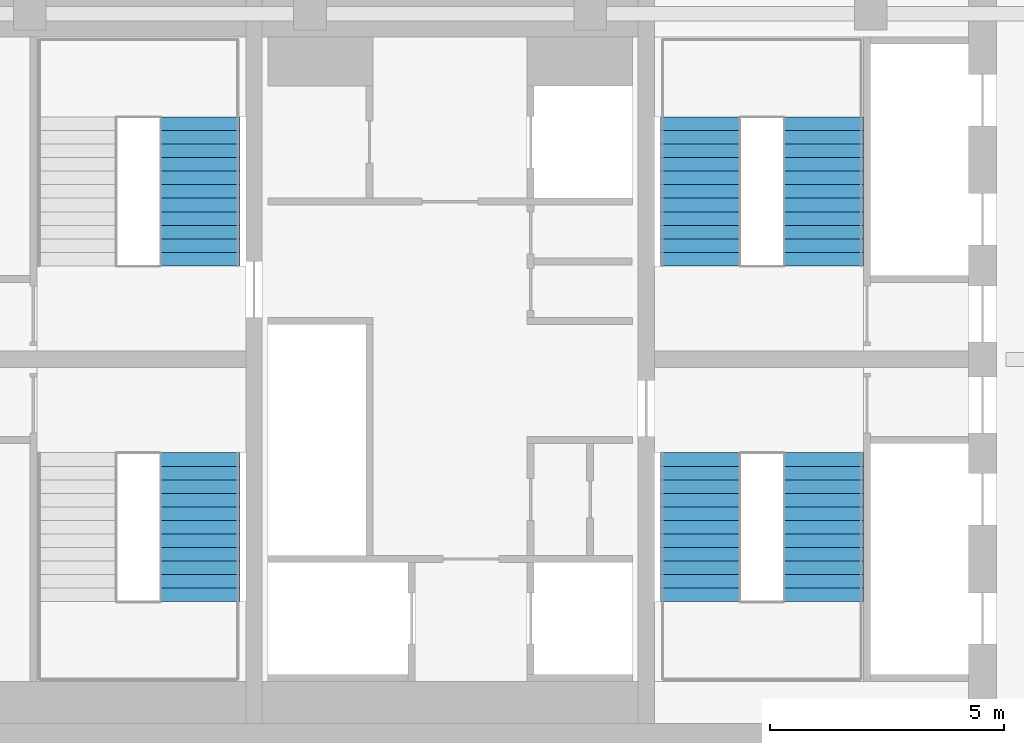
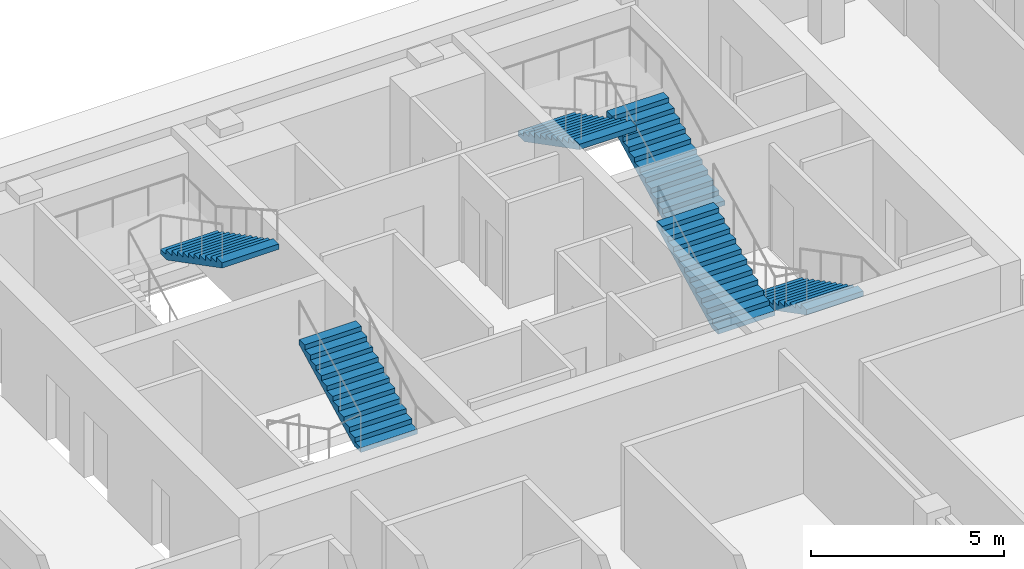
# One storey, part 20 of 21: 6 stair flights, 4 elements without a shape of their own.
"""IFC4 building model written with IfcOpenShell, lengths in metres."""

from ifc_helpers import new_model, si_unit, direction, frame, origin, place, context, subcontext, project, spatial, polyline, outline, extrude, material, type_object, element, aggregate, save


model = new_model("IFC4")

# Units and contexts
model_context = context("Model", 3, precision=1e-05, world=origin(), true_north=direction((0.0, 1.0)))
body_context = subcontext(model_context, "Body", "Model", "MODEL_VIEW")
ifc_project = project(units=[si_unit("LENGTHUNIT", "METRE"), si_unit("AREAUNIT", "SQUARE_METRE"), si_unit("VOLUMEUNIT", "CUBIC_METRE"), si_unit("PLANEANGLEUNIT", "RADIAN"), si_unit("MASSUNIT", "GRAM", prefix="KILO")], contexts=[model_context])

# Site, building, storey
site_placement = place(None, origin())
site = spatial("IfcSite", under=ifc_project, at=site_placement, CompositionType="ELEMENT")
building_placement = place(site_placement, origin())
building = spatial("IfcBuilding", under=site, at=building_placement, Name="Marenta Gate Hotel Tower", CompositionType="ELEMENT")
storey_placement = place(building_placement, frame((0.0, 0.0, 266.89990234375)))
storey = spatial("IfcBuildingStorey", under=building, at=storey_placement, Name="L61", CompositionType="ELEMENT", Elevation=266.89990234375)

# Stair, stair flight
ifc_material_1 = material(Name="Concrete C40", Category="concrete")
stair_type = type_object("IfcStairType", Name="Core exit stair 1700 wide", PredefinedType="HALF_TURN_STAIR", material=ifc_material_1)
stair_1_placement = place(storey_placement, origin())
stair_1 = element("IfcStair", 1, at=stair_1_placement, inside=storey, type_object=stair_type, Name="Exit stair 1", PredefinedType="HALF_TURN_STAIR")
ifc_material_2 = material(Name="Concrete C40", Category="concrete")
stair_flight_type = type_object("IfcStairFlightType", Name="Core stair flight 1700 riser 150.0 going 290", PredefinedType="STRAIGHT", material=ifc_material_2)
stair_flight_1_placement = place(storey_placement, frame((-5.35009765625, 3.2099609375, 1.800048828125), z_axis=(0.0, 0.0, 1.0), x_axis=(0.0, 1.0, 0.0)))
stair_flight_1 = element("IfcStairFlight", 2, at=stair_flight_1_placement, type_object=stair_flight_type, Name="ST1 flight 2", NumberOfRisers=12, NumberOfTreads=11, PredefinedType="STRAIGHT", RiserHeight=0.15, TreadLength=0.29, context=body_context, shape_type="SweptSolid", body=[
    extrude(outline(polyline([(0.0, 0.0), (0.0, 0.14990234375), (0.2900390625, 0.14990234375), (0.2900390625, 0.300048828125), (0.580078125, 0.300048828125), (0.580078125, 0.449951171875), (0.8701171875, 0.449951171875), (0.8701171875, 0.60009765625), (1.159912109375, 0.60009765625), (1.159912109375, 0.75), (1.449951171875, 0.75), (1.449951171875, 0.89990234375), (1.739990234375, 0.89990234375), (1.739990234375, 1.050048828125), (2.030029296875, 1.050048828125), (2.030029296875, 1.199951171875), (2.320068359375, 1.199951171875), (2.320068359375, 1.35009765625), (2.610107421875, 1.35009765625), (2.610107421875, 1.5), (2.89990234375, 1.5), (2.89990234375, 1.64990234375), (3.18994140625, 1.64990234375), (3.18994140625, 1.800048828125), (3.18994140625, 1.481201171875), (0.326171875, 0.0), (0.0, 0.0)])), frame((0.0, 0.85009765625, 0.0), z_axis=(0.0, -1.0, 0.0), x_axis=(1.0, 0.0, 0.0)), (0.0, 0.0, 1.0), 1.699951171875),
])
aggregate(stair_1, [stair_flight_1])

stair_2_placement = place(storey_placement, origin())
stair_2 = element("IfcStair", 3, at=stair_2_placement, inside=storey, type_object=stair_type, Name="Exit stair 2", PredefinedType="HALF_TURN_STAIR")
stair_flight_2_placement = place(storey_placement, frame((-5.35009765625, 13.590087890625, 1.800048828125), z_axis=(0.0, 0.0, 1.0), x_axis=(0.0, -1.0, 0.0)))
stair_flight_2 = element("IfcStairFlight", 4, at=stair_flight_2_placement, type_object=stair_flight_type, Name="ST2 flight 2", NumberOfRisers=12, NumberOfTreads=11, PredefinedType="STRAIGHT", RiserHeight=0.15, TreadLength=0.29, context=body_context, shape_type="SweptSolid", body=[
    extrude(outline(polyline([(0.0, 0.0), (0.0, 0.14990234375), (0.2900390625, 0.14990234375), (0.2900390625, 0.300048828125), (0.580078125, 0.300048828125), (0.580078125, 0.449951171875), (0.8701171875, 0.449951171875), (0.8701171875, 0.60009765625), (1.159912109375, 0.60009765625), (1.159912109375, 0.75), (1.449951171875, 0.75), (1.449951171875, 0.89990234375), (1.739990234375, 0.89990234375), (1.739990234375, 1.050048828125), (2.030029296875, 1.050048828125), (2.030029296875, 1.199951171875), (2.320068359375, 1.199951171875), (2.320068359375, 1.35009765625), (2.610107421875, 1.35009765625), (2.610107421875, 1.5), (2.89990234375, 1.5), (2.89990234375, 1.64990234375), (3.18994140625, 1.64990234375), (3.18994140625, 1.800048828125), (3.18994140625, 1.481201171875), (0.326171875, 0.0), (0.0, 0.0)])), frame((0.0, 0.85009765625, 0.0), z_axis=(0.0, -1.0, 0.0), x_axis=(1.0, 0.0, 0.0)), (0.0, 0.0, 1.0), 1.699951171875),
])
aggregate(stair_2, [stair_flight_2])

# Stair, stair flights
stair_3_placement = place(storey_placement, origin())
stair_3 = element("IfcStair", 5, at=stair_3_placement, inside=storey, type_object=stair_type, Name="Exit stair 3", PredefinedType="HALF_TURN_STAIR")
stair_flight_3_placement = place(storey_placement, frame((8.0, 6.39990234375, 0.0), z_axis=(0.0, 0.0, 1.0), x_axis=(0.0, -1.0, 0.0)))
stair_flight_3 = element("IfcStairFlight", 6, at=stair_flight_3_placement, type_object=stair_flight_type, Name="ST3 flight 1", NumberOfRisers=12, NumberOfTreads=11, PredefinedType="STRAIGHT", RiserHeight=0.15, TreadLength=0.29, context=body_context, shape_type="SweptSolid", body=[
    extrude(outline(polyline([(0.0, 0.0), (0.0, 0.14990234375), (0.2900390625, 0.14990234375), (0.2900390625, 0.300048828125), (0.580078125, 0.300048828125), (0.580078125, 0.449951171875), (0.8701171875, 0.449951171875), (0.8701171875, 0.60009765625), (1.159912109375, 0.60009765625), (1.159912109375, 0.75), (1.449951171875, 0.75), (1.449951171875, 0.89990234375), (1.739990234375, 0.89990234375), (1.739990234375, 1.050048828125), (2.030029296875, 1.050048828125), (2.030029296875, 1.199951171875), (2.320068359375, 1.199951171875), (2.320068359375, 1.35009765625), (2.610107421875, 1.35009765625), (2.610107421875, 1.5), (2.89990234375, 1.5), (2.89990234375, 1.64990234375), (3.18994140625, 1.64990234375), (3.18994140625, 1.800048828125), (3.18994140625, 1.481201171875), (0.326171875, 0.0), (0.0, 0.0)])), frame((0.0, 0.85009765625, 0.0), z_axis=(0.0, -1.0, 0.0), x_axis=(1.0, 0.0, 0.0)), (0.0, 0.0, 1.0), 1.699951171875),
])
stair_flight_4_placement = place(storey_placement, frame((5.35009765625, 3.2099609375, 1.800048828125), z_axis=(0.0, 0.0, 1.0), x_axis=(0.0, 1.0, 0.0)))
stair_flight_4 = element("IfcStairFlight", 7, at=stair_flight_4_placement, type_object=stair_flight_type, Name="ST3 flight 2", NumberOfRisers=12, NumberOfTreads=11, PredefinedType="STRAIGHT", RiserHeight=0.15, TreadLength=0.29, context=body_context, shape_type="SweptSolid", body=[
    extrude(outline(polyline([(0.0, 0.0), (0.0, 0.14990234375), (0.2900390625, 0.14990234375), (0.2900390625, 0.300048828125), (0.580078125, 0.300048828125), (0.580078125, 0.449951171875), (0.8701171875, 0.449951171875), (0.8701171875, 0.60009765625), (1.159912109375, 0.60009765625), (1.159912109375, 0.75), (1.449951171875, 0.75), (1.449951171875, 0.89990234375), (1.739990234375, 0.89990234375), (1.739990234375, 1.050048828125), (2.030029296875, 1.050048828125), (2.030029296875, 1.199951171875), (2.320068359375, 1.199951171875), (2.320068359375, 1.35009765625), (2.610107421875, 1.35009765625), (2.610107421875, 1.5), (2.89990234375, 1.5), (2.89990234375, 1.64990234375), (3.18994140625, 1.64990234375), (3.18994140625, 1.800048828125), (3.18994140625, 1.481201171875), (0.326171875, 0.0), (0.0, 0.0)])), frame((0.0, 0.85009765625, 0.0), z_axis=(0.0, -1.0, 0.0), x_axis=(1.0, 0.0, 0.0)), (0.0, 0.0, 1.0), 1.699951171875),
])
aggregate(stair_3, [stair_flight_3, stair_flight_4])

stair_4_placement = place(storey_placement, origin())
stair_4 = element("IfcStair", 8, at=stair_4_placement, inside=storey, type_object=stair_type, Name="Exit stair 4", PredefinedType="HALF_TURN_STAIR")
stair_flight_5_placement = place(storey_placement, frame((8.0, 10.39990234375, 0.0), z_axis=(0.0, 0.0, 1.0), x_axis=(0.0, 1.0, 0.0)))
stair_flight_5 = element("IfcStairFlight", 9, at=stair_flight_5_placement, type_object=stair_flight_type, Name="ST4 flight 1", NumberOfRisers=12, NumberOfTreads=11, PredefinedType="STRAIGHT", RiserHeight=0.15, TreadLength=0.29, context=body_context, shape_type="SweptSolid", body=[
    extrude(outline(polyline([(0.0, 0.0), (0.0, 0.14990234375), (0.2900390625, 0.14990234375), (0.2900390625, 0.300048828125), (0.580078125, 0.300048828125), (0.580078125, 0.449951171875), (0.8701171875, 0.449951171875), (0.8701171875, 0.60009765625), (1.159912109375, 0.60009765625), (1.159912109375, 0.75), (1.449951171875, 0.75), (1.449951171875, 0.89990234375), (1.739990234375, 0.89990234375), (1.739990234375, 1.050048828125), (2.030029296875, 1.050048828125), (2.030029296875, 1.199951171875), (2.320068359375, 1.199951171875), (2.320068359375, 1.35009765625), (2.610107421875, 1.35009765625), (2.610107421875, 1.5), (2.89990234375, 1.5), (2.89990234375, 1.64990234375), (3.18994140625, 1.64990234375), (3.18994140625, 1.800048828125), (3.18994140625, 1.481201171875), (0.326171875, 0.0), (0.0, 0.0)])), frame((0.0, 0.85009765625, 0.0), z_axis=(0.0, -1.0, 0.0), x_axis=(1.0, 0.0, 0.0)), (0.0, 0.0, 1.0), 1.699951171875),
])
stair_flight_6_placement = place(storey_placement, frame((5.35009765625, 13.590087890625, 1.800048828125), z_axis=(0.0, 0.0, 1.0), x_axis=(0.0, -1.0, 0.0)))
stair_flight_6 = element("IfcStairFlight", 10, at=stair_flight_6_placement, type_object=stair_flight_type, Name="ST4 flight 2", NumberOfRisers=12, NumberOfTreads=11, PredefinedType="STRAIGHT", RiserHeight=0.15, TreadLength=0.29, context=body_context, shape_type="SweptSolid", body=[
    extrude(outline(polyline([(0.0, 0.0), (0.0, 0.14990234375), (0.2900390625, 0.14990234375), (0.2900390625, 0.300048828125), (0.580078125, 0.300048828125), (0.580078125, 0.449951171875), (0.8701171875, 0.449951171875), (0.8701171875, 0.60009765625), (1.159912109375, 0.60009765625), (1.159912109375, 0.75), (1.449951171875, 0.75), (1.449951171875, 0.89990234375), (1.739990234375, 0.89990234375), (1.739990234375, 1.050048828125), (2.030029296875, 1.050048828125), (2.030029296875, 1.199951171875), (2.320068359375, 1.199951171875), (2.320068359375, 1.35009765625), (2.610107421875, 1.35009765625), (2.610107421875, 1.5), (2.89990234375, 1.5), (2.89990234375, 1.64990234375), (3.18994140625, 1.64990234375), (3.18994140625, 1.800048828125), (3.18994140625, 1.481201171875), (0.326171875, 0.0), (0.0, 0.0)])), frame((0.0, 0.85009765625, 0.0), z_axis=(0.0, -1.0, 0.0), x_axis=(1.0, 0.0, 0.0)), (0.0, 0.0, 1.0), 1.699951171875),
])
aggregate(stair_4, [stair_flight_5, stair_flight_6])

save(model, "model.ifc")
